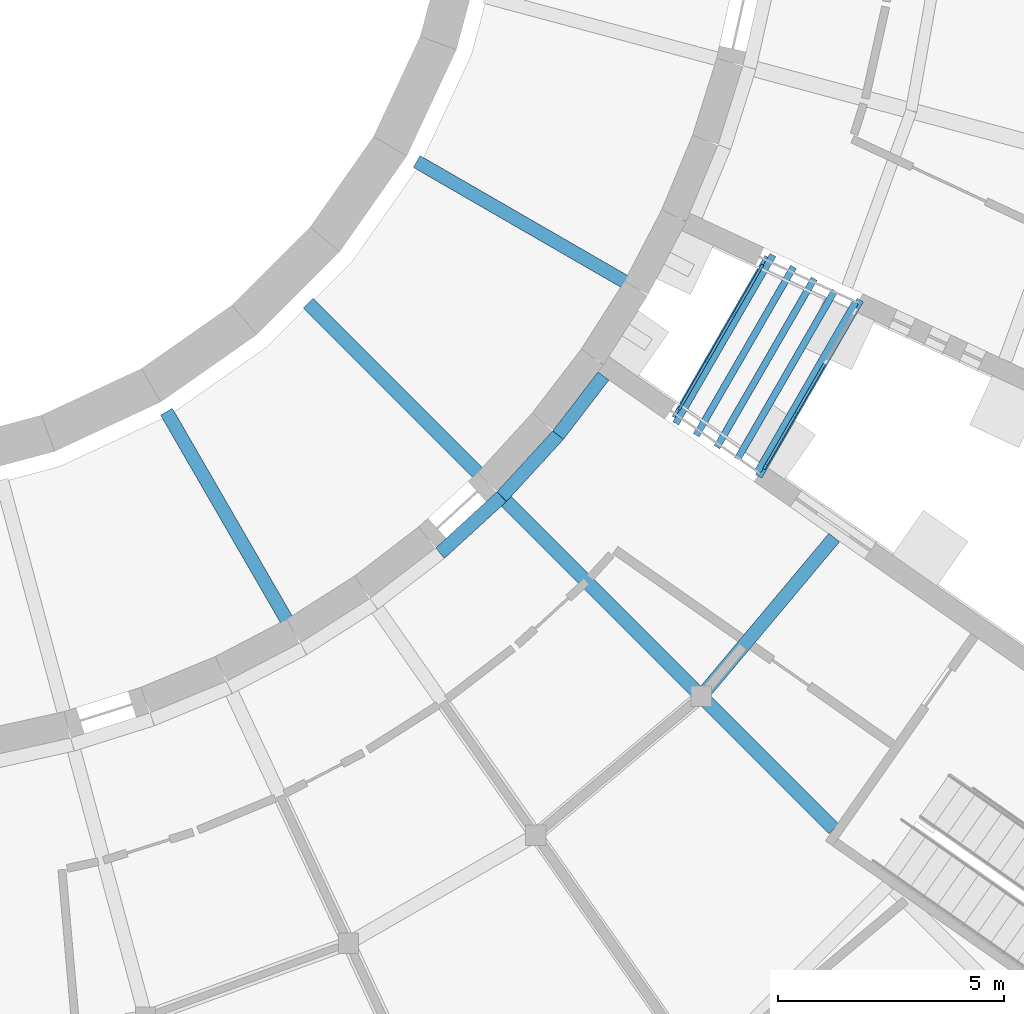
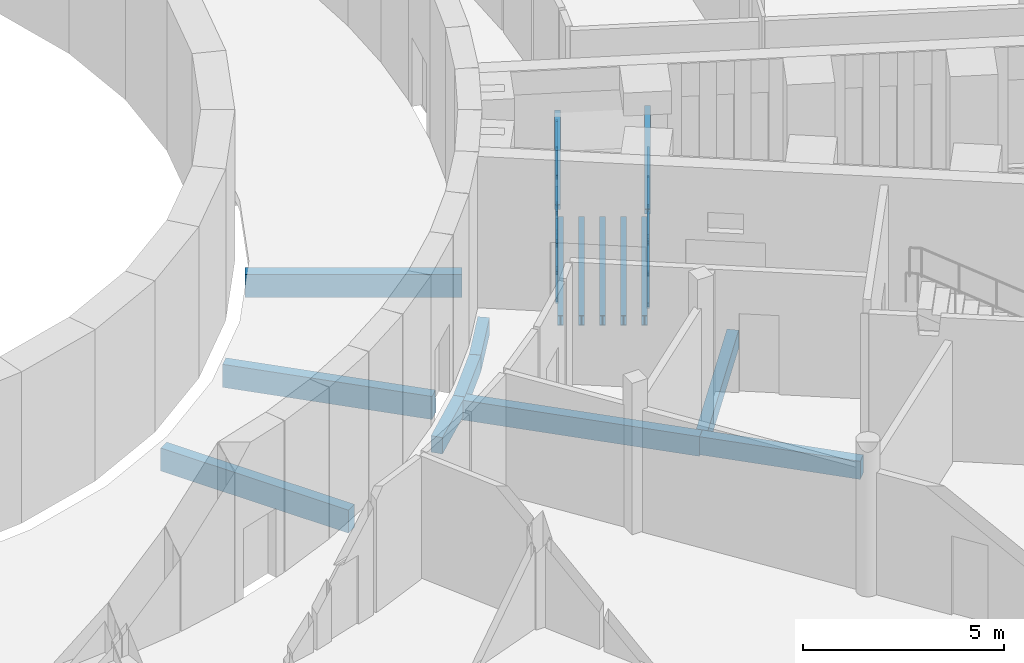
# One storey, part 8 of 66: 26 members, 16 beams, 2 elements without a shape of their own.
"""IFC4 building model written with IfcOpenShell, lengths in metres."""

from ifc_helpers import new_model, si_unit, direction, frame, origin, origin_2d, place, context, subcontext, project, spatial, rectangle, i_section, extrude, material, layer, layer_set, material_profile, profile_set, type_object, element, aggregate, save


model = new_model("IFC4")

# Units and contexts
model_context = context("Model", 3, precision=1e-05, world=origin(), true_north=direction((0.0, 1.0)))
body_context = subcontext(model_context, "Body", "Model", "MODEL_VIEW")
ifc_project = project(units=[si_unit("LENGTHUNIT", "METRE"), si_unit("AREAUNIT", "SQUARE_METRE"), si_unit("VOLUMEUNIT", "CUBIC_METRE"), si_unit("PLANEANGLEUNIT", "RADIAN"), si_unit("MASSUNIT", "GRAM", prefix="KILO")], contexts=[model_context])

# Site, building, storey
site_placement = place(None, origin())
site = spatial("IfcSite", under=ifc_project, at=site_placement, CompositionType="ELEMENT")
building_placement = place(site_placement, origin())
building = spatial("IfcBuilding", under=site, at=building_placement, Name="Volute Hill Aquarium", CompositionType="ELEMENT")
storey_placement = place(building_placement, frame((0.0, 0.0, 4.60009765625)))
storey = spatial("IfcBuildingStorey", under=building, at=storey_placement, Name="L02", CompositionType="ELEMENT", Elevation=4.60009765625)

# Beams
ifc_material_1 = material(Name="Concrete C35/45", Category="concrete")
ifc_material_profile_1 = material_profile(ifc_material_1, rectangle(XDim=0.300048828125, YDim=0.550048828125, at=origin_2d()), Name="RC beam 300x550")
ifc_profile_set_1 = profile_set([ifc_material_profile_1], Name="Concrete C35/45")
beam_type_1 = type_object("IfcBeamType", Name="Beam 300x550 C35/45", PredefinedType="BEAM", material=ifc_profile_set_1)
beam_1_placement = place(storey_placement, frame((19.36279296875, -19.36279296875, -0.545166015625), z_axis=(0.707106781187, -0.707106781187, 0.0), x_axis=(0.707106781187, 0.707106781187, 0.0)))
element("IfcBeam", 1, at=beam_1_placement, inside=storey, type_object=beam_type_1, Name="bm/S3/L02/rad4.11", PredefinedType="BEAM", context=body_context, shape_type="SweptSolid", body=[
    extrude(rectangle(XDim=0.300048828125, YDim=0.550048828125, at=origin_2d()), origin(), (0.0, 0.0, 1.0), 4.1455078125),
])
beam_2_placement = place(storey_placement, frame((19.36279296875, -19.36279296875, -0.545166015625), z_axis=(0.642801320395, 0.76603293826, 0.0), x_axis=(-0.76603293826, 0.642801320395, 0.0)))
element("IfcBeam", 2, at=beam_2_placement, inside=storey, type_object=beam_type_1, Name="bm/S3/L02/ring1.17", PredefinedType="BEAM", context=body_context, shape_type="SweptSolid", body=[
    extrude(rectangle(XDim=0.300048828125, YDim=0.550048828125, at=origin_2d()), origin(), (0.0, 0.0, 1.0), 4.572509765625),
])
ifc_material_2 = material(Name="Concrete C35/45", Category="concrete")
ifc_material_profile_2 = material_profile(ifc_material_2, rectangle(XDim=0.300048828125, YDim=0.60009765625, at=origin_2d()), Name="RC beam 300x600")
ifc_profile_set_2 = profile_set([ifc_material_profile_2], Name="Concrete C35/45")
beam_type_2 = type_object("IfcBeamType", Name="Beam 300x600 C35/45", PredefinedType="BEAM", material=ifc_profile_set_2)
beam_3_placement = place(storey_placement, frame((14.84912109375, -14.84912109375, -0.570068359375), z_axis=(0.707106781187, -0.707106781187, 0.0), x_axis=(0.707106781187, 0.707106781187, 0.0)))
element("IfcBeam", 3, at=beam_3_placement, inside=storey, type_object=beam_type_2, Name="bm/S3/L02/rad4.10", PredefinedType="BEAM", context=body_context, shape_type="SweptSolid", body=[
    extrude(rectangle(XDim=0.300048828125, YDim=0.60009765625, at=origin_2d()), origin(), (0.0, 0.0, 1.0), 6.38330078125),
])
ifc_material_3 = material(Name="Steel S355", Category="steel")
ifc_material_profile_3 = material_profile(ifc_material_3, i_section(OverallWidth=0.14990234375, OverallDepth=0.300048828125, WebThickness=0.007080078125, FlangeThickness=0.0107421875, FilletRadius=0.014892578125, at=origin_2d()), Name="IPE 300")
ifc_profile_set_3 = profile_set([ifc_material_profile_3], Name="Steel S355")
beam_type_3 = type_object("IfcBeamType", Name="Bridge deck beam IPE 300", PredefinedType="BEAM", material=ifc_profile_set_3)
for number, where, z_axis, x_axis, name in (
    (4, (18.80078125, -13.336181640625, -0.300048828125), (0.499987977232, 0.866032345022, 0.0), (-0.866032345022, 0.499987977232, 0.0), "br/SC4/L02/db0"),
    (5, (19.255615234375, -13.5986328125, -0.300048828125), (0.499945371805, 0.86605694109, 0.0), (-0.86605694109, 0.499945371805, 0.0), "br/SC4/L02/db1"),
    (6, (19.710205078125, -13.861083984375, -0.300048828125), (0.499987977232, 0.866032345022, 0.0), (-0.866032345022, 0.499987977232, 0.0), "br/SC4/L02/db2"),
    (7, (20.164794921875, -14.12353515625, -0.300048828125), (0.499987977232, 0.866032345022, 0.0), (-0.866032345022, 0.499987977232, 0.0), "br/SC4/L02/db3"),
    (8, (20.619384765625, -14.385986328125, -0.300048828125), (0.499987977232, 0.866032345022, 0.0), (-0.866032345022, 0.499987977232, 0.0), "br/SC4/L02/db4"),
):
    element("IfcBeam", number, at=place(storey_placement, frame(where, z_axis=z_axis, x_axis=x_axis)), inside=storey, type_object=beam_type_3, Name=name, PredefinedType="BEAM", context=body_context, shape_type="SweptSolid", body=[
        extrude(i_section(OverallWidth=0.14990234375, OverallDepth=0.300048828125, WebThickness=0.007080078125, FlangeThickness=0.0107421875, FilletRadius=0.014892578125, at=origin_2d()), origin(), (0.0, 0.0, 1.0), 4.2978515625),
    ])

# Curtain wall, members
ifc_material_4 = material(Name="Aluminium and glass", Category="aluminium")
ifc_layer = layer(ifc_material_4, 0.1201171875)
ifc_layer_set = layer_set([ifc_layer], Name="Bridge curtain wall")
curtain_wall_type = type_object("IfcCurtainWallType", Name="Bridge curtain wall", PredefinedType="NOTDEFINED", material=ifc_layer_set)
curtain_wall_1_placement = place(storey_placement, origin())
curtain_wall_1 = element("IfcCurtainWall", 9, at=curtain_wall_1_placement, inside=storey, type_object=curtain_wall_type, Name="br/SC4/L02/cwa", PredefinedType="NOTDEFINED")
ifc_material_5 = material(Name="Aluminium", Category="aluminium")
ifc_material_profile_4 = material_profile(ifc_material_5, rectangle(XDim=0.06005859375, YDim=0.159912109375, at=origin_2d()), Name="Aluminium mullion 60x160")
ifc_profile_set_4 = profile_set([ifc_material_profile_4], Name="Aluminium")
member_type_1 = type_object("IfcMemberType", Name="Bridge mullion 60x160", PredefinedType="MULLION", material=ifc_profile_set_4)
member_1_placement = place(storey_placement, frame((18.91259765625, -12.962158203125, 0.0), z_axis=(0.0, 0.0, 1.0), x_axis=(-0.866019914131, 0.500009508239, 0.0)))
member_1 = element("IfcMember", 10, at=member_1_placement, type_object=member_type_1, Name="BR5 mullion 1", PredefinedType="MULLION", context=body_context, shape_type="SweptSolid", body=[
    extrude(rectangle(XDim=0.06005859375, YDim=0.159912109375, at=origin_2d()), origin(), (0.0, 0.0, 1.0), 3.0),
])
member_2_placement = place(storey_placement, frame((19.49755859375, -11.949462890625, 0.0), z_axis=(0.0, 0.0, 1.0), x_axis=(-0.866019914131, 0.500009508239, 0.0)))
member_2 = element("IfcMember", 11, at=member_2_placement, type_object=member_type_1, Name="BR5 mullion 2", PredefinedType="MULLION", context=body_context, shape_type="SweptSolid", body=[
    extrude(rectangle(XDim=0.06005859375, YDim=0.159912109375, at=origin_2d()), origin(), (0.0, 0.0, 1.0), 3.0),
])
member_3_placement = place(storey_placement, frame((20.09716796875, -10.91064453125, 0.0), z_axis=(0.0, 0.0, 1.0), x_axis=(-0.866019914131, 0.500009508239, 0.0)))
member_3 = element("IfcMember", 12, at=member_3_placement, type_object=member_type_1, Name="BR5 mullion 3", PredefinedType="MULLION", context=body_context, shape_type="SweptSolid", body=[
    extrude(rectangle(XDim=0.06005859375, YDim=0.159912109375, at=origin_2d()), origin(), (0.0, 0.0, 1.0), 3.0),
])
member_4_placement = place(storey_placement, frame((20.681884765625, -9.897705078125, 0.0), z_axis=(0.0, 0.0, 1.0), x_axis=(-0.866019914131, 0.500009508239, 0.0)))
member_4 = element("IfcMember", 13, at=member_4_placement, type_object=member_type_1, Name="BR5 mullion 4", PredefinedType="MULLION", context=body_context, shape_type="SweptSolid", body=[
    extrude(rectangle(XDim=0.06005859375, YDim=0.159912109375, at=origin_2d()), origin(), (0.0, 0.0, 1.0), 3.0),
])

curtain_wall_2_placement = place(storey_placement, origin())
curtain_wall_2 = element("IfcCurtainWall", 14, at=curtain_wall_2_placement, inside=storey, type_object=curtain_wall_type, Name="br/SC4/L02/cwb", PredefinedType="NOTDEFINED")
member_5_placement = place(storey_placement, frame((20.78759765625, -14.27490234375, 0.0), z_axis=(0.0, 0.0, 1.0), x_axis=(-0.866022279881, 0.50000541072, 0.0)))
member_5 = element("IfcMember", 15, at=member_5_placement, type_object=member_type_1, Name="BR5 mullion 1", PredefinedType="MULLION", context=body_context, shape_type="SweptSolid", body=[
    extrude(rectangle(XDim=0.06005859375, YDim=0.159912109375, at=origin_2d()), origin(), (0.0, 0.0, 1.0), 3.0),
])
member_6_placement = place(storey_placement, frame((21.438720703125, -13.14697265625, 0.0), z_axis=(0.0, 0.0, 1.0), x_axis=(-0.866022279881, 0.50000541072, 0.0)))
member_6 = element("IfcMember", 16, at=member_6_placement, type_object=member_type_1, Name="BR5 mullion 2", PredefinedType="MULLION", context=body_context, shape_type="SweptSolid", body=[
    extrude(rectangle(XDim=0.06005859375, YDim=0.159912109375, at=origin_2d()), origin(), (0.0, 0.0, 1.0), 3.0),
])

# Beams
ifc_material_6 = material(Name="Steel S355", Category="steel")
ifc_material_profile_5 = material_profile(ifc_material_6, i_section(OverallWidth=0.159912109375, OverallDepth=0.152099609375, WebThickness=0.006103515625, FlangeThickness=0.009033203125, FilletRadius=0.014892578125, at=origin_2d()), Name="HEA 160")
ifc_profile_set_5 = profile_set([ifc_material_profile_5], Name="Steel S355")
beam_type_4 = type_object("IfcBeamType", Name="Bridge roof edge beam HEA 160", PredefinedType="BEAM", material=ifc_profile_set_5)
beam_4_placement = place(storey_placement, frame((18.789306640625, -13.21630859375, 3.075927734375), z_axis=(0.499954299598, 0.866051787316, 0.0), x_axis=(-0.866051787316, 0.499954299598, 0.0)))
element("IfcBeam", 17, at=beam_4_placement, inside=storey, type_object=beam_type_4, Name="br/SC4/L02/rba", PredefinedType="BEAM", context=body_context, shape_type="SweptSolid", body=[
    extrude(i_section(OverallWidth=0.159912109375, OverallDepth=0.152099609375, WebThickness=0.006103515625, FlangeThickness=0.009033203125, FilletRadius=0.014892578125, at=origin_2d()), origin(), (0.0, 0.0, 1.0), 4.10205078125),
])
beam_5_placement = place(storey_placement, frame((20.631103515625, -14.505859375, 3.075927734375), z_axis=(0.499977970989, 0.866038121866, 0.0), x_axis=(-0.866038121866, 0.499977970989, 0.0)))
element("IfcBeam", 18, at=beam_5_placement, inside=storey, type_object=beam_type_4, Name="br/SC4/L02/rbb", PredefinedType="BEAM", context=body_context, shape_type="SweptSolid", body=[
    extrude(i_section(OverallWidth=0.159912109375, OverallDepth=0.152099609375, WebThickness=0.006103515625, FlangeThickness=0.009033203125, FilletRadius=0.014892578125, at=origin_2d()), origin(), (0.0, 0.0, 1.0), 4.493896484375),
])

# Member
ifc_material_7 = material(Name="Aluminium", Category="aluminium")
ifc_material_profile_6 = material_profile(ifc_material_7, rectangle(XDim=0.06005859375, YDim=0.1201171875, at=origin_2d()), Name="Aluminium transom 60x120")
ifc_profile_set_6 = profile_set([ifc_material_profile_6], Name="Aluminium")
member_type_2 = type_object("IfcMemberType", Name="Bridge transom 60x120", PredefinedType="USERDEFINED", material=ifc_profile_set_6)
member_7_placement = place(storey_placement, frame((18.927734375, -12.936279296875, 0.02978515625), z_axis=(0.499925626596, 0.866068339032, 0.0), x_axis=(-0.866068339032, 0.499925626596, 0.0)))
member_7 = element("IfcMember", 19, at=member_7_placement, type_object=member_type_2, Name="BR5 transom 1.1", ObjectType="TRANSOM", PredefinedType="USERDEFINED", context=body_context, shape_type="SweptSolid", body=[
    extrude(rectangle(XDim=0.06005859375, YDim=0.1201171875, at=origin_2d()), origin(), (0.0, 0.0, 1.0), 1.109619140625),
])

member_8_placement = place(storey_placement, frame((18.927734375, -12.936279296875, 1.0), z_axis=(0.499925626596, 0.866068339032, 0.0), x_axis=(-0.866068339032, 0.499925626596, 0.0)))
member_8 = element("IfcMember", 20, at=member_8_placement, type_object=member_type_2, Name="BR5 transom 1.2", ObjectType="TRANSOM", PredefinedType="USERDEFINED", context=body_context, shape_type="SweptSolid", body=[
    extrude(rectangle(XDim=0.06005859375, YDim=0.1201171875, at=origin_2d()), origin(), (0.0, 0.0, 1.0), 1.109619140625),
])

member_9_placement = place(storey_placement, frame((18.927734375, -12.936279296875, 2.099853515625), z_axis=(0.499925626596, 0.866068339032, 0.0), x_axis=(-0.866068339032, 0.499925626596, 0.0)))
member_9 = element("IfcMember", 21, at=member_9_placement, type_object=member_type_2, Name="BR5 transom 1.3", ObjectType="TRANSOM", PredefinedType="USERDEFINED", context=body_context, shape_type="SweptSolid", body=[
    extrude(rectangle(XDim=0.06005859375, YDim=0.1201171875, at=origin_2d()), origin(), (0.0, 0.0, 1.0), 1.109619140625),
])

member_10_placement = place(storey_placement, frame((18.927734375, -12.936279296875, 2.969970703125), z_axis=(0.499925626596, 0.866068339032, 0.0), x_axis=(-0.866068339032, 0.499925626596, 0.0)))
member_10 = element("IfcMember", 22, at=member_10_placement, type_object=member_type_2, Name="BR5 transom 1.4", ObjectType="TRANSOM", PredefinedType="USERDEFINED", context=body_context, shape_type="SweptSolid", body=[
    extrude(rectangle(XDim=0.06005859375, YDim=0.1201171875, at=origin_2d()), origin(), (0.0, 0.0, 1.0), 1.109619140625),
])

member_11_placement = place(storey_placement, frame((19.512451171875, -11.92333984375, 0.02978515625), z_axis=(0.500056273262, 0.865992911964, 0.0), x_axis=(-0.865992911964, 0.500056273262, 0.0)))
member_11 = element("IfcMember", 23, at=member_11_placement, type_object=member_type_2, Name="BR5 transom 2.1", ObjectType="TRANSOM", PredefinedType="USERDEFINED", context=body_context, shape_type="SweptSolid", body=[
    extrude(rectangle(XDim=0.06005859375, YDim=0.1201171875, at=origin_2d()), origin(), (0.0, 0.0, 1.0), 1.139404296875),
])

member_12_placement = place(storey_placement, frame((19.512451171875, -11.92333984375, 1.0), z_axis=(0.500056273262, 0.865992911964, 0.0), x_axis=(-0.865992911964, 0.500056273262, 0.0)))
member_12 = element("IfcMember", 24, at=member_12_placement, type_object=member_type_2, Name="BR5 transom 2.2", ObjectType="TRANSOM", PredefinedType="USERDEFINED", context=body_context, shape_type="SweptSolid", body=[
    extrude(rectangle(XDim=0.06005859375, YDim=0.1201171875, at=origin_2d()), origin(), (0.0, 0.0, 1.0), 1.139404296875),
])

member_13_placement = place(storey_placement, frame((19.512451171875, -11.92333984375, 2.099853515625), z_axis=(0.500056273262, 0.865992911964, 0.0), x_axis=(-0.865992911964, 0.500056273262, 0.0)))
member_13 = element("IfcMember", 25, at=member_13_placement, type_object=member_type_2, Name="BR5 transom 2.3", ObjectType="TRANSOM", PredefinedType="USERDEFINED", context=body_context, shape_type="SweptSolid", body=[
    extrude(rectangle(XDim=0.06005859375, YDim=0.1201171875, at=origin_2d()), origin(), (0.0, 0.0, 1.0), 1.139404296875),
])

member_14_placement = place(storey_placement, frame((19.512451171875, -11.92333984375, 2.969970703125), z_axis=(0.500056273262, 0.865992911964, 0.0), x_axis=(-0.865992911964, 0.500056273262, 0.0)))
member_14 = element("IfcMember", 26, at=member_14_placement, type_object=member_type_2, Name="BR5 transom 2.4", ObjectType="TRANSOM", PredefinedType="USERDEFINED", context=body_context, shape_type="SweptSolid", body=[
    extrude(rectangle(XDim=0.06005859375, YDim=0.1201171875, at=origin_2d()), origin(), (0.0, 0.0, 1.0), 1.139404296875),
])

member_15_placement = place(storey_placement, frame((20.1123046875, -10.884521484375, 0.02978515625), z_axis=(0.500020911392, 0.86601333025, 0.0), x_axis=(-0.86601333025, 0.500020911392, 0.0)))
member_15 = element("IfcMember", 27, at=member_15_placement, type_object=member_type_2, Name="BR5 transom 3.1", ObjectType="TRANSOM", PredefinedType="USERDEFINED", context=body_context, shape_type="SweptSolid", body=[
    extrude(rectangle(XDim=0.06005859375, YDim=0.1201171875, at=origin_2d()), origin(), (0.0, 0.0, 1.0), 1.109375),
])

member_16_placement = place(storey_placement, frame((20.1123046875, -10.884521484375, 1.0), z_axis=(0.500020911392, 0.86601333025, 0.0), x_axis=(-0.86601333025, 0.500020911392, 0.0)))
member_16 = element("IfcMember", 28, at=member_16_placement, type_object=member_type_2, Name="BR5 transom 3.2", ObjectType="TRANSOM", PredefinedType="USERDEFINED", context=body_context, shape_type="SweptSolid", body=[
    extrude(rectangle(XDim=0.06005859375, YDim=0.1201171875, at=origin_2d()), origin(), (0.0, 0.0, 1.0), 1.109375),
])

member_17_placement = place(storey_placement, frame((20.1123046875, -10.884521484375, 2.099853515625), z_axis=(0.500020911392, 0.86601333025, 0.0), x_axis=(-0.86601333025, 0.500020911392, 0.0)))
member_17 = element("IfcMember", 29, at=member_17_placement, type_object=member_type_2, Name="BR5 transom 3.3", ObjectType="TRANSOM", PredefinedType="USERDEFINED", context=body_context, shape_type="SweptSolid", body=[
    extrude(rectangle(XDim=0.06005859375, YDim=0.1201171875, at=origin_2d()), origin(), (0.0, 0.0, 1.0), 1.109375),
])

member_18_placement = place(storey_placement, frame((20.1123046875, -10.884521484375, 2.969970703125), z_axis=(0.500020911392, 0.86601333025, 0.0), x_axis=(-0.86601333025, 0.500020911392, 0.0)))
member_18 = element("IfcMember", 30, at=member_18_placement, type_object=member_type_2, Name="BR5 transom 3.4", ObjectType="TRANSOM", PredefinedType="USERDEFINED", context=body_context, shape_type="SweptSolid", body=[
    extrude(rectangle(XDim=0.06005859375, YDim=0.1201171875, at=origin_2d()), origin(), (0.0, 0.0, 1.0), 1.109375),
])

aggregate(curtain_wall_1, [member_1, member_2, member_3, member_4, member_7, member_8, member_9, member_10, member_11, member_12, member_13, member_14, member_15, member_16, member_17, member_18])

member_19_placement = place(storey_placement, frame((20.802490234375, -14.2490234375, 0.02978515625), z_axis=(0.500005895944, 0.866021999733, 0.0), x_axis=(-0.866021999733, 0.500005895944, 0.0)))
member_19 = element("IfcMember", 31, at=member_19_placement, type_object=member_type_2, Name="BR5 transom 1.1", ObjectType="TRANSOM", PredefinedType="USERDEFINED", context=body_context, shape_type="SweptSolid", body=[
    extrude(rectangle(XDim=0.06005859375, YDim=0.1201171875, at=origin_2d()), origin(), (0.0, 0.0, 1.0), 1.24267578125),
])

member_20_placement = place(storey_placement, frame((20.802490234375, -14.2490234375, 1.0), z_axis=(0.500005895944, 0.866021999733, 0.0), x_axis=(-0.866021999733, 0.500005895944, 0.0)))
member_20 = element("IfcMember", 32, at=member_20_placement, type_object=member_type_2, Name="BR5 transom 1.2", ObjectType="TRANSOM", PredefinedType="USERDEFINED", context=body_context, shape_type="SweptSolid", body=[
    extrude(rectangle(XDim=0.06005859375, YDim=0.1201171875, at=origin_2d()), origin(), (0.0, 0.0, 1.0), 1.24267578125),
])

member_21_placement = place(storey_placement, frame((20.802490234375, -14.2490234375, 2.099853515625), z_axis=(0.500005895944, 0.866021999733, 0.0), x_axis=(-0.866021999733, 0.500005895944, 0.0)))
member_21 = element("IfcMember", 33, at=member_21_placement, type_object=member_type_2, Name="BR5 transom 1.3", ObjectType="TRANSOM", PredefinedType="USERDEFINED", context=body_context, shape_type="SweptSolid", body=[
    extrude(rectangle(XDim=0.06005859375, YDim=0.1201171875, at=origin_2d()), origin(), (0.0, 0.0, 1.0), 1.24267578125),
])

member_22_placement = place(storey_placement, frame((20.802490234375, -14.2490234375, 2.969970703125), z_axis=(0.500005895944, 0.866021999733, 0.0), x_axis=(-0.866021999733, 0.500005895944, 0.0)))
member_22 = element("IfcMember", 34, at=member_22_placement, type_object=member_type_2, Name="BR5 transom 1.4", ObjectType="TRANSOM", PredefinedType="USERDEFINED", context=body_context, shape_type="SweptSolid", body=[
    extrude(rectangle(XDim=0.06005859375, YDim=0.1201171875, at=origin_2d()), origin(), (0.0, 0.0, 1.0), 1.24267578125),
])

member_23_placement = place(storey_placement, frame((21.45361328125, -13.12109375, 0.02978515625), z_axis=(0.50012098021, 0.86595554456, 0.0), x_axis=(-0.86595554456, 0.50012098021, 0.0)))
member_23 = element("IfcMember", 35, at=member_23_placement, type_object=member_type_2, Name="BR5 transom 2.1", ObjectType="TRANSOM", PredefinedType="USERDEFINED", context=body_context, shape_type="SweptSolid", body=[
    extrude(rectangle(XDim=0.06005859375, YDim=0.1201171875, at=origin_2d()), origin(), (0.0, 0.0, 1.0), 1.272705078125),
])

member_24_placement = place(storey_placement, frame((21.45361328125, -13.12109375, 1.0), z_axis=(0.50012098021, 0.86595554456, 0.0), x_axis=(-0.86595554456, 0.50012098021, 0.0)))
member_24 = element("IfcMember", 36, at=member_24_placement, type_object=member_type_2, Name="BR5 transom 2.2", ObjectType="TRANSOM", PredefinedType="USERDEFINED", context=body_context, shape_type="SweptSolid", body=[
    extrude(rectangle(XDim=0.06005859375, YDim=0.1201171875, at=origin_2d()), origin(), (0.0, 0.0, 1.0), 1.272705078125),
])

member_25_placement = place(storey_placement, frame((21.45361328125, -13.12109375, 2.099853515625), z_axis=(0.50012098021, 0.86595554456, 0.0), x_axis=(-0.86595554456, 0.50012098021, 0.0)))
member_25 = element("IfcMember", 37, at=member_25_placement, type_object=member_type_2, Name="BR5 transom 2.3", ObjectType="TRANSOM", PredefinedType="USERDEFINED", context=body_context, shape_type="SweptSolid", body=[
    extrude(rectangle(XDim=0.06005859375, YDim=0.1201171875, at=origin_2d()), origin(), (0.0, 0.0, 1.0), 1.272705078125),
])

member_26_placement = place(storey_placement, frame((21.45361328125, -13.12109375, 2.969970703125), z_axis=(0.50012098021, 0.86595554456, 0.0), x_axis=(-0.86595554456, 0.50012098021, 0.0)))
member_26 = element("IfcMember", 38, at=member_26_placement, type_object=member_type_2, Name="BR5 transom 2.4", ObjectType="TRANSOM", PredefinedType="USERDEFINED", context=body_context, shape_type="SweptSolid", body=[
    extrude(rectangle(XDim=0.06005859375, YDim=0.1201171875, at=origin_2d()), origin(), (0.0, 0.0, 1.0), 1.272705078125),
])

aggregate(curtain_wall_2, [member_5, member_6, member_19, member_20, member_21, member_22, member_23, member_24, member_25, member_26])

# Beams
ifc_material_8 = material(Name="Concrete C35/45", Category="concrete")
ifc_material_profile_7 = material_profile(ifc_material_8, rectangle(XDim=0.300048828125, YDim=0.5, at=origin_2d()), Name="RC edge beam 300x500")
ifc_profile_set_7 = profile_set([ifc_material_profile_7], Name="Concrete C35/45")
beam_type_5 = type_object("IfcBeamType", Name="Edge beam 300x500 C35/45", PredefinedType="BEAM", material=ifc_profile_set_7)
for number, where, z_axis, x_axis, name in (
    (39, (13.594970703125, -16.201904296875, -0.52001953125), (0.73726397759, 0.675604786356, 0.0), (-0.675604786356, 0.73726397759, 0.0), "bm/S3/L02/edgeD.28"),
    (40, (14.955322265625, -14.955322265625, -0.52001953125), (0.675604786356, 0.73726397759, 0.0), (-0.73726397759, 0.675604786356, 0.0), "bm/S3/L02/edgeD.29"),
):
    element("IfcBeam", number, at=place(storey_placement, frame(where, z_axis=z_axis, x_axis=x_axis)), inside=storey, type_object=beam_type_5, Name=name, PredefinedType="BEAM", context=body_context, shape_type="SweptSolid", body=[
        extrude(rectangle(XDim=0.300048828125, YDim=0.5, at=origin_2d()), origin(), (0.0, 0.0, 1.0), 1.84521484375),
    ])
beam_6_placement = place(storey_placement, frame((16.201904296875, -13.594970703125, -0.52001953125), z_axis=(0.608820957391, 0.793307659009, 0.0), x_axis=(-0.793307659009, 0.608820957391, 0.0)))
element("IfcBeam", 41, at=beam_6_placement, inside=storey, type_object=beam_type_5, Name="bm/S3/L02/edgeD.30", PredefinedType="BEAM", context=body_context, shape_type="SweptSolid", body=[
    extrude(rectangle(XDim=0.300048828125, YDim=0.5, at=origin_2d()), origin(), (0.0, 0.0, 1.0), 1.64501953125),
])
ifc_material_9 = material(Name="Concrete C35/45", Category="concrete")
ifc_material_profile_8 = material_profile(ifc_material_9, rectangle(XDim=0.300048828125, YDim=0.699951171875, at=origin_2d()), Name="RC beam 300x700")
ifc_profile_set_8 = profile_set([ifc_material_profile_8], Name="Concrete C35/45")
beam_type_6 = type_object("IfcBeamType", Name="Gallery beam RC 300x700", PredefinedType="BEAM", material=ifc_profile_set_8)
for number, where, z_axis, x_axis, name in (
    (42, (7.550048828125, -13.076904296875, -0.650146484375), (0.499995103361, -0.866028230842, 0.0), (0.866028230842, 0.499995103361, 0.0), "bm/DR/L02/20"),
    (43, (10.67724609375, -10.67724609375, -0.650146484375), (0.707106781187, -0.707106781187, 0.0), (0.707106781187, 0.707106781187, 0.0), "bm/DR/L02/21"),
    (44, (13.076904296875, -7.550048828125, -0.650146484375), (0.866028230842, -0.499995103361, 0.0), (0.499995103361, 0.866028230842, 0.0), "bm/DR/L02/22"),
):
    element("IfcBeam", number, at=place(storey_placement, frame(where, z_axis=z_axis, x_axis=x_axis)), inside=storey, type_object=beam_type_6, Name=name, PredefinedType="BEAM", context=body_context, shape_type="SweptSolid", body=[
        extrude(rectangle(XDim=0.300048828125, YDim=0.699951171875, at=origin_2d()), origin(), (0.0, 0.0, 1.0), 5.39990234375),
    ])

save(model, "model.ifc")
